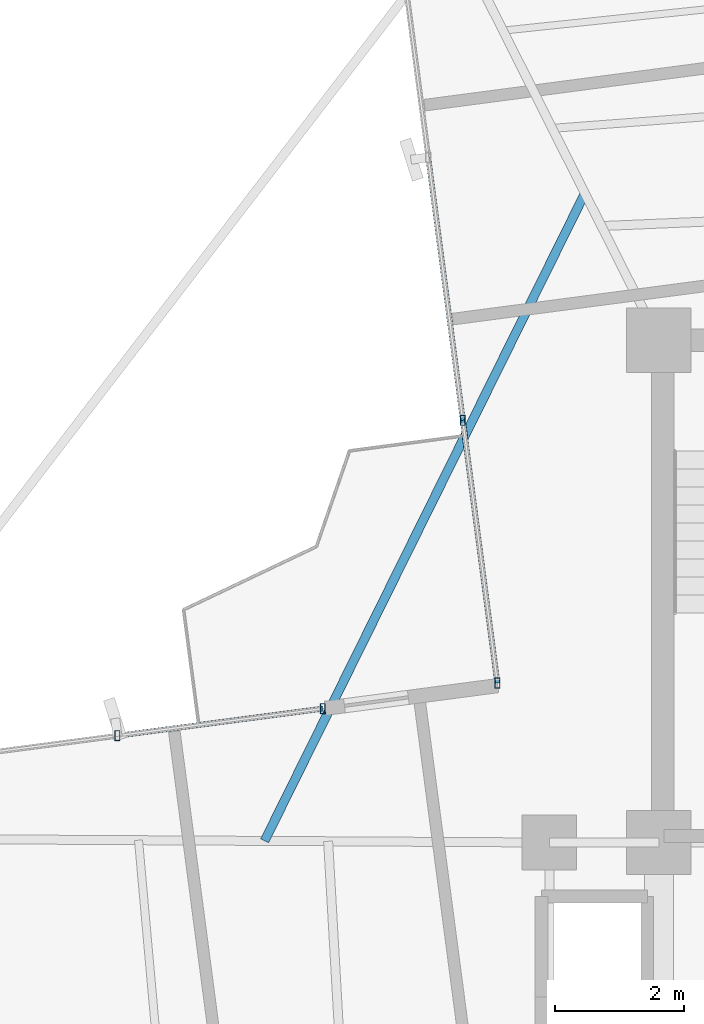
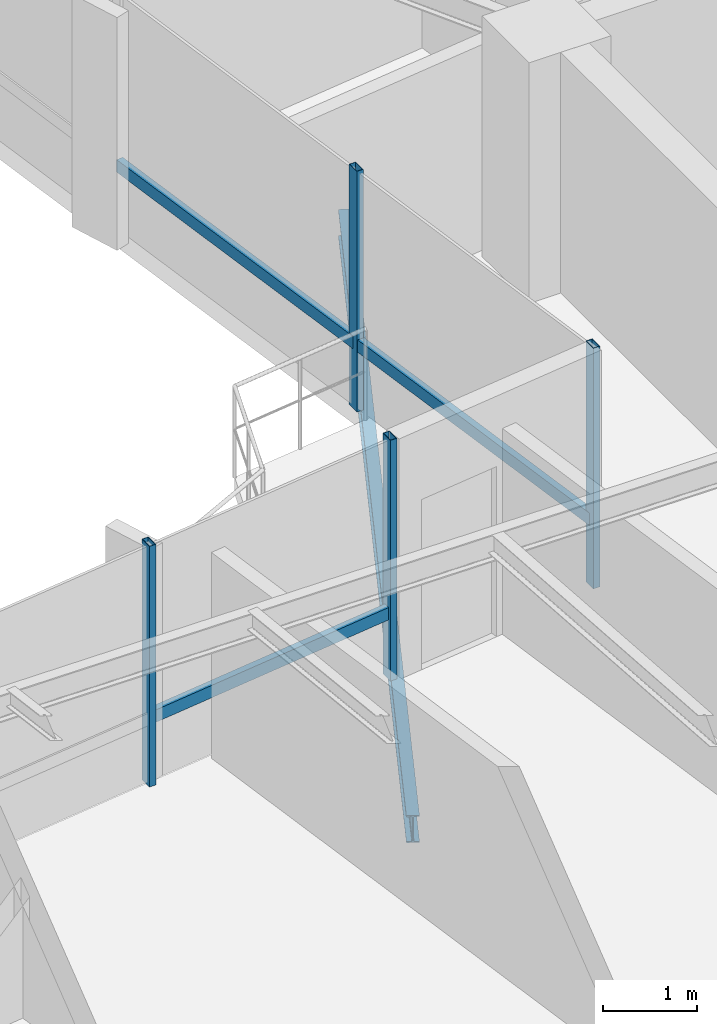
# One storey, part 9 of 22: 7 members, 1 beam, 2 elements without a shape of their own.
"""IFC4 building model written with IfcOpenShell, lengths in metres."""

import ifcopenshell
import ifcopenshell.guid

model = None  # the IFC model being written
_history = None  # IfcOwnerHistory: only IFC2X3 demands one
_inside = {}  # id of a spatial element -> (the spatial element, [elements in it])
_under = {}  # id of a project, library or spatial element -> (it, [spatial elements below it])
_declared = {}  # id of a project -> (the project, [libraries it declares])
_typed = {}  # id of a type object -> (the type object, [elements of that type])
_made_of = {}  # id of a material, layer set ... -> (it, [elements and type objects made of it])


def new_model(schema):
    """Start an empty IFC model of exactly this schema.

    Asked for "IFC4X3", IfcOpenShell would pick the latest addendum, in which some entities
    have other attributes; the version numbers below select the first issue.
    IFC2X3 requires an IfcOwnerHistory on every rooted entity: one is made here for all.
    """
    global model, _history
    if schema == "IFC4X3":
        model = ifcopenshell.file(schema_version=(4, 3, 0, 0))
    else:
        model = ifcopenshell.file(schema=schema)
    _inside.clear()
    _under.clear()
    _declared.clear()
    _typed.clear()
    _made_of.clear()
    _history = None
    if model.schema == "IFC2X3":
        org = make("IfcOrganization", Name="unknown")
        user = make(
            "IfcPersonAndOrganization",
            ThePerson=make("IfcPerson", FamilyName="unknown"),
            TheOrganization=org,
        )
        app = make(
            "IfcApplication",
            ApplicationDeveloper=org,
            Version="unknown",
            ApplicationFullName="unknown",
            ApplicationIdentifier="unknown",
        )
        _history = make(
            "IfcOwnerHistory",
            OwningUser=user,
            OwningApplication=app,
            ChangeAction="ADDED",
            CreationDate=0,
        )
    return model


def make(cls, **values):
    """One entity of the class cls with the attributes given. An attribute that is None is left unset."""
    return model.create_entity(
        cls, **{name: value for name, value in values.items() if value is not None}
    )


def rooted(cls, **values):
    """An entity with a GlobalId (a new one), such as an element, a storey or a relation."""
    return make(cls, GlobalId=ifcopenshell.guid.new(), OwnerHistory=_history, **values)


def si_unit(unit_type, name, prefix=None):
    """IfcSIUnit, for example si_unit("LENGTHUNIT", "METRE", prefix="MILLI")."""
    return make("IfcSIUnit", UnitType=unit_type, Prefix=prefix, Name=name)


def assignment(units):
    """IfcUnitAssignment: the units of a project."""
    return None if units is None else make("IfcUnitAssignment", Units=units)


def point(xyz):
    """IfcCartesianPoint."""
    return None if xyz is None else make("IfcCartesianPoint", Coordinates=xyz)


def direction(xyz):
    """IfcDirection."""
    return None if xyz is None else make("IfcDirection", DirectionRatios=xyz)


def frame(location, z_axis=None, x_axis=None):
    """IfcAxis2Placement3D, a coordinate frame: its origin and axes. An axis left out is left unset."""
    return make(
        "IfcAxis2Placement3D",
        Location=point(location),
        Axis=direction(z_axis),
        RefDirection=direction(x_axis),
    )


def frame_2d(location, x_axis=None):
    """IfcAxis2Placement2D, a coordinate frame in the plane: its origin and x axis."""
    return make(
        "IfcAxis2Placement2D", Location=point(location), RefDirection=direction(x_axis)
    )


def origin():
    """The frame at (0, 0, 0) with its axes left unset."""
    return frame((0.0, 0.0, 0.0))


def origin_2d():
    """The frame at (0, 0) in the plane with its x axis left unset."""
    return frame_2d((0.0, 0.0))


def place(relative_to, where):
    """IfcLocalPlacement: puts the frame where relative to a parent placement (None: the world)."""
    return make(
        "IfcLocalPlacement", PlacementRelTo=relative_to, RelativePlacement=where
    )


def context(
    kind, dimensions, precision=None, world=None, true_north=None, identifier=None
):
    """IfcGeometricRepresentationContext, for example the 3D "Model" context."""
    return make(
        "IfcGeometricRepresentationContext",
        ContextIdentifier=identifier,
        ContextType=kind,
        CoordinateSpaceDimension=dimensions,
        Precision=precision,
        WorldCoordinateSystem=world,
        TrueNorth=true_north,
    )


def subcontext(parent, identifier, kind, view, scale=None):
    """IfcGeometricRepresentationSubContext, for example "Body" below "Model"."""
    return make(
        "IfcGeometricRepresentationSubContext",
        ContextIdentifier=identifier,
        ContextType=kind,
        ParentContext=parent,
        TargetScale=scale,
        TargetView=view,
    )


def project(units=None, contexts=None):
    """IfcProject with its units and contexts."""
    return rooted(
        "IfcProject",
        Name="project",
        RepresentationContexts=contexts,
        UnitsInContext=assignment(units),
    )


def spatial(cls, under=None, at=None, **own):
    """A site, building, storey or space (cls), placed at a placement, below another one or the project."""
    s = rooted(cls, ObjectPlacement=at, **own)
    if under is not None:
        _under.setdefault(under.id(), (under, []))[1].append(s)
    return s


def profile(cls, at=None, kind="AREA", **sizes):
    """A parametric profile (cls). Its sizes go by their IFC names, for example OverallWidth=200.0."""
    return make(cls, ProfileType=kind, Position=at, **sizes)


def hollow_rectangle(**sizes):
    """IfcRectangleHollowProfileDef."""
    return profile("IfcRectangleHollowProfileDef", **sizes)


def i_section(**sizes):
    """IfcIShapeProfileDef."""
    return profile("IfcIShapeProfileDef", **sizes)


def extrude(swept, where, along, depth):
    """IfcExtrudedAreaSolid: the profile swept, set in the frame where, extruded along a direction by depth."""
    return make(
        "IfcExtrudedAreaSolid",
        SweptArea=swept,
        Position=where,
        ExtrudedDirection=direction(along),
        Depth=depth,
    )


def shape(context_of_items, identifier, shape_type, items):
    """IfcShapeRepresentation: the items that make up one representation, for example the "Body"."""
    return make(
        "IfcShapeRepresentation",
        ContextOfItems=context_of_items,
        RepresentationIdentifier=identifier,
        RepresentationType=shape_type,
        Items=items,
    )


def source(mapping_origin, context_of_items, identifier, shape_type, items):
    """IfcRepresentationMap: a shape defined once, which mapped items show again and again."""
    return make(
        "IfcRepresentationMap",
        MappingOrigin=mapping_origin,
        MappedRepresentation=shape(context_of_items, identifier, shape_type, items),
    )


def transform(
    local_origin,
    x_axis=None,
    y_axis=None,
    z_axis=None,
    scale=None,
    scale2=None,
    scale3=None,
    uniform=True,
):
    """IfcCartesianTransformationOperator3D, or its non-uniform kind. x_axis, y_axis, z_axis: its Axis1, 2, 3."""
    if uniform:
        return make(
            "IfcCartesianTransformationOperator3D",
            Axis1=direction(x_axis),
            Axis2=direction(y_axis),
            LocalOrigin=point(local_origin),
            Scale=scale,
            Axis3=direction(z_axis),
        )
    return make(
        "IfcCartesianTransformationOperator3DnonUniform",
        Axis1=direction(x_axis),
        Axis2=direction(y_axis),
        LocalOrigin=point(local_origin),
        Scale=scale,
        Axis3=direction(z_axis),
        Scale2=scale2,
        Scale3=scale3,
    )


def mapped(mapping_source, mapping_target):
    """IfcMappedItem: shows the shape of a source again, moved by a transform."""
    return make(
        "IfcMappedItem", MappingSource=mapping_source, MappingTarget=mapping_target
    )


def material(Name=None, Category=None):
    """IfcMaterial."""
    return make("IfcMaterial", Name=Name, Category=Category)


def material_profile(
    of_material, cross_section, Name=None, Category=None, Priority=None
):
    """IfcMaterialProfile: a cross section and its material."""
    return make(
        "IfcMaterialProfile",
        Name=Name,
        Material=of_material,
        Profile=cross_section,
        Priority=Priority,
        Category=Category,
    )


def profile_set(profiles, Name=None, composite=None):
    """IfcMaterialProfileSet."""
    return make(
        "IfcMaterialProfileSet",
        Name=Name,
        MaterialProfiles=profiles,
        CompositeProfile=composite,
    )


def made_of(thing, what):
    """Note that an element or type object is made of a material, layer set ...; save() writes the relation."""
    if what is not None:
        _made_of.setdefault(what.id(), (what, []))[1].append(thing)
    return thing


def type_object(cls, material=None, **own):
    """A type object (cls), such as IfcWallType, which elements share."""
    return made_of(rooted(cls, **own), material)


def element(
    cls,
    number,
    at=None,
    inside=None,
    cuts=None,
    type_object=None,
    material=None,
    context=None,
    identifier="Body",
    shape_type=None,
    held_by="IfcProductDefinitionShape",
    body=None,
    shapes=None,
    **own,
):
    """One element of the class cls, such as IfcWall. Its Tag is "e" and its number.

    at: its placement. inside: the storey or other place that contains it. cuts: it is an
    opening in that element (IfcRelVoidsElement). A single representation is given by context,
    identifier, shape_type and body (its items); several are given by shapes. held_by: the class
    of the entity that holds the representations. save() writes the other relations.
    """
    e = rooted(cls, Tag="e%d" % number, ObjectPlacement=at, **own)
    if body is not None:
        shapes = [shape(context, identifier, shape_type, body)]
    if shapes is not None:
        e.Representation = make(held_by, Representations=shapes)
    if inside is not None:
        _inside.setdefault(inside.id(), (inside, []))[1].append(e)
    if cuts is not None:
        rooted(
            "IfcRelVoidsElement", RelatingBuildingElement=cuts, RelatedOpeningElement=e
        )
    if type_object is not None:
        _typed.setdefault(type_object.id(), (type_object, []))[1].append(e)
    return made_of(e, material)


def aggregate(whole, parts):
    """IfcRelAggregates: a whole, such as a stair, and the parts it consists of."""
    return rooted("IfcRelAggregates", RelatingObject=whole, RelatedObjects=parts)


def save(model, path):
    """Write the relations noted so far, then the file.

    IfcRelAggregates (storeys below a building ...), IfcRelContainedInSpatialStructure (elements
    in a storey), IfcRelDefinesByType, IfcRelAssociatesMaterial and IfcRelDeclares: one each for
    every whole, place, type object, material and project.
    """
    for whole, parts in _under.values():
        aggregate(whole, parts)
    for where, things in _inside.values():
        rooted(
            "IfcRelContainedInSpatialStructure",
            RelatedElements=things,
            RelatingStructure=where,
        )
    for kind, things in _typed.values():
        rooted("IfcRelDefinesByType", RelatedObjects=things, RelatingType=kind)
    for what, things in _made_of.values():
        rooted("IfcRelAssociatesMaterial", RelatedObjects=things, RelatingMaterial=what)
    for by, libraries in _declared.values():
        rooted("IfcRelDeclares", RelatingContext=by, RelatedDefinitions=libraries)
    model.write(path)


model = new_model("IFC4")

# Units and contexts
model_context = context("Model", 3, precision=1e-05, world=origin(), true_north=direction((0.0, 1.0)))
body_context = subcontext(model_context, "Body", "Model", "MODEL_VIEW")
ifc_project = project(units=[si_unit("LENGTHUNIT", "METRE"), si_unit("AREAUNIT", "SQUARE_METRE"), si_unit("VOLUMEUNIT", "CUBIC_METRE"), si_unit("PLANEANGLEUNIT", "RADIAN"), si_unit("MASSUNIT", "GRAM", prefix="KILO")], contexts=[model_context])

# Site, building, storey
site_placement = place(None, origin())
site = spatial("IfcSite", under=ifc_project, at=site_placement, CompositionType="ELEMENT")
building_placement = place(site_placement, origin())
building = spatial("IfcBuilding", under=site, at=building_placement, Name="Sahyath Konkavel Grand Hotel", CompositionType="ELEMENT")
storey_placement = place(building_placement, frame((0.0, 0.0, 244.5)))
storey = spatial("IfcBuildingStorey", under=building, at=storey_placement, Name="L68", CompositionType="ELEMENT", Elevation=244.5)

# Curtain wall, members
ifc_material_1 = material(Name="Anodised Bronze Aluminium & Low-E Glazing", Category="aluminium")
curtain_wall_type = type_object("IfcCurtainWallType", Name="CW-ZONE4", PredefinedType="NOTDEFINED", material=ifc_material_1)
curtain_wall_1_placement = place(storey_placement, origin())
curtain_wall_1 = element("IfcCurtainWall", 1, at=curtain_wall_1_placement, inside=storey, type_object=curtain_wall_type, Name="L68 Unitised Curtain Wall F15", PredefinedType="NOTDEFINED")
ifc_material_2 = material(Name="Anodised Bronze Aluminium", Category="aluminium")
ifc_material_profile_1 = material_profile(ifc_material_2, hollow_rectangle(XDim=0.080078125, YDim=0.159912109375, WallThickness=0.006103515625, at=origin_2d()), Name="RHS 160x80x6")
ifc_profile_set_1 = profile_set([ifc_material_profile_1], Name="Anodised Bronze Aluminium")
member_type_1 = type_object("IfcMemberType", Name="CW-MUL-160", PredefinedType="MULLION", material=ifc_profile_set_1)
shared_shape_1 = source(origin(), body_context, "Body", "SweptSolid", [
    extrude(hollow_rectangle(XDim=0.080078125, YDim=0.159912109375, WallThickness=0.006103515625, at=origin_2d()), origin(), (0.0, 0.0, 1.0), 3.110107421875),
])
member_1_placement = place(storey_placement, frame((-6.844482421875, 8.95556640625, 0.0), z_axis=(0.0, 0.0, 1.0), x_axis=(1.0, 0.0, 0.0)))
member_1 = element("IfcMember", 2, at=member_1_placement, type_object=member_type_1, Name="L68 Curtain Wall Mullion F15-2", PredefinedType="MULLION", context=body_context, shape_type="MappedRepresentation", body=[
    mapped(shared_shape_1, transform((0.0, 0.0, 0.0), scale=1.0)),
])
member_2_placement = place(storey_placement, frame((-6.307373046875, 4.87548828125, 0.0), z_axis=(0.0, 0.0, 1.0), x_axis=(1.0, 0.0, 0.0)))
member_2 = element("IfcMember", 3, at=member_2_placement, type_object=member_type_1, Name="L68 Curtain Wall Mullion F15-3", PredefinedType="MULLION", context=body_context, shape_type="MappedRepresentation", body=[
    mapped(shared_shape_1, transform((0.0, 0.0, 0.0), scale=1.0)),
])

curtain_wall_2_placement = place(storey_placement, origin())
curtain_wall_2 = element("IfcCurtainWall", 4, at=curtain_wall_2_placement, inside=storey, type_object=curtain_wall_type, Name="L68 Unitised Curtain Wall F16", PredefinedType="NOTDEFINED")
member_3_placement = place(storey_placement, frame((-9.018798828125, 4.478271484375, 0.0), z_axis=(0.0, 0.0, 1.0), x_axis=(1.0, 0.0, 0.0)))
member_3 = element("IfcMember", 5, at=member_3_placement, type_object=member_type_1, Name="L68 Curtain Wall Mullion F16-0", PredefinedType="MULLION", context=body_context, shape_type="MappedRepresentation", body=[
    mapped(shared_shape_1, transform((0.0, 0.0, 0.0), scale=1.0)),
])
member_4_placement = place(storey_placement, frame((-12.20654296875, 4.05859375, 0.0), z_axis=(0.0, 0.0, 1.0), x_axis=(1.0, 0.0, 0.0)))
member_4 = element("IfcMember", 6, at=member_4_placement, type_object=member_type_1, Name="L68 Curtain Wall Mullion F16-1", PredefinedType="MULLION", context=body_context, shape_type="MappedRepresentation", body=[
    mapped(shared_shape_1, transform((0.0, 0.0, 0.0), scale=1.0)),
])
ifc_material_profile_2 = material_profile(ifc_material_2, hollow_rectangle(XDim=0.080078125, YDim=0.159912109375, WallThickness=0.006103515625, at=origin_2d()), Name="RHS 160x80x6")
ifc_profile_set_2 = profile_set([ifc_material_profile_2], Name="Anodised Bronze Aluminium")
member_type_2 = type_object("IfcMemberType", Name="CW-TRN-160", PredefinedType="USERDEFINED", material=ifc_profile_set_2)
shared_shape_2 = source(origin(), body_context, "Body", "SweptSolid", [
    extrude(hollow_rectangle(XDim=0.080078125, YDim=0.159912109375, WallThickness=0.006103515625, at=origin_2d()), origin(), (0.0, 0.0, 1.0), 3.21533203125),
])
member_5_placement = place(storey_placement, frame((-9.018798828125, 4.478271484375, 0.85009765625), z_axis=(-0.9914447303, -0.130527187822, 0.0), x_axis=(0.130527187822, -0.9914447303, 0.0)))
member_5 = element("IfcMember", 7, at=member_5_placement, type_object=member_type_2, Name="L68 Curtain Wall Transom F16-0-spandrel", ObjectType="TRANSOM", PredefinedType="USERDEFINED", context=body_context, shape_type="MappedRepresentation", body=[
    mapped(shared_shape_2, transform((0.0, 0.0, 0.0), scale=1.0)),
])
aggregate(curtain_wall_2, [member_3, member_4, member_5])

# Member
shared_shape_3 = source(origin(), body_context, "Body", "SweptSolid", [
    extrude(hollow_rectangle(XDim=0.080078125, YDim=0.159912109375, WallThickness=0.006103515625, at=origin_2d()), origin(), (0.0, 0.0, 1.0), 4.115234375),
])
member_6_placement = place(storey_placement, frame((-7.381591796875, 13.03564453125, 0.85009765625), z_axis=(0.130515897359, -0.991446216664, 0.0), x_axis=(0.991446216664, 0.130515897359, 0.0)))
member_6 = element("IfcMember", 8, at=member_6_placement, type_object=member_type_2, Name="L68 Curtain Wall Transom F15-1-spandrel", ObjectType="TRANSOM", PredefinedType="USERDEFINED", context=body_context, shape_type="MappedRepresentation", body=[
    mapped(shared_shape_3, transform((0.0, 0.0, 0.0), scale=1.0)),
])

member_7_placement = place(storey_placement, frame((-6.844482421875, 8.95556640625, 0.85009765625), z_axis=(0.130515897359, -0.991446216664, 0.0), x_axis=(0.991446216664, 0.130515897359, 0.0)))
member_7 = element("IfcMember", 9, at=member_7_placement, type_object=member_type_2, Name="L68 Curtain Wall Transom F15-2-spandrel", ObjectType="TRANSOM", PredefinedType="USERDEFINED", context=body_context, shape_type="MappedRepresentation", body=[
    mapped(shared_shape_3, transform((0.0, 0.0, 0.0), scale=1.0)),
])

aggregate(curtain_wall_1, [member_1, member_2, member_6, member_7])

# Beam
ifc_material_3 = material(Name="Steel E350", Category="steel")
ifc_material_profile_3 = material_profile(ifc_material_3, i_section(OverallWidth=0.139892578125, OverallDepth=0.35009765625, WebThickness=0.008056640625, FlangeThickness=0.01416015625, FilletRadius=0.013916015625, at=origin_2d()), Name="ISMB 350")
ifc_profile_set_3 = profile_set([ifc_material_profile_3], Name="Steel E350")
beam_type = type_object("IfcBeamType", Name="BM-BALC-CANT", PredefinedType="BEAM", material=ifc_profile_set_3)
shared_shape_4 = source(origin(), body_context, "Body", "SweptSolid", [
    extrude(i_section(OverallWidth=0.139892578125, OverallDepth=0.35009765625, WebThickness=0.008056640625, FlangeThickness=0.01416015625, FilletRadius=0.013916015625, at=origin_2d()), origin(), (0.0, 0.0, 1.0), 11.218017578125),
])
beam_placement = place(storey_placement, frame((-4.947998046875, 12.48095703125, -0.4150390625), z_axis=(-0.443335573911, -0.896355715609, 0.0), x_axis=(0.896355715609, -0.443335573911, 0.0)))
element("IfcBeam", 10, at=beam_placement, inside=storey, type_object=beam_type, Name="L68 Balcony Cantilever Support Beam NW", PredefinedType="BEAM", context=body_context, shape_type="MappedRepresentation", body=[
    mapped(shared_shape_4, transform((0.0, 0.0, 0.0), scale=1.0)),
])

save(model, "model.ifc")
